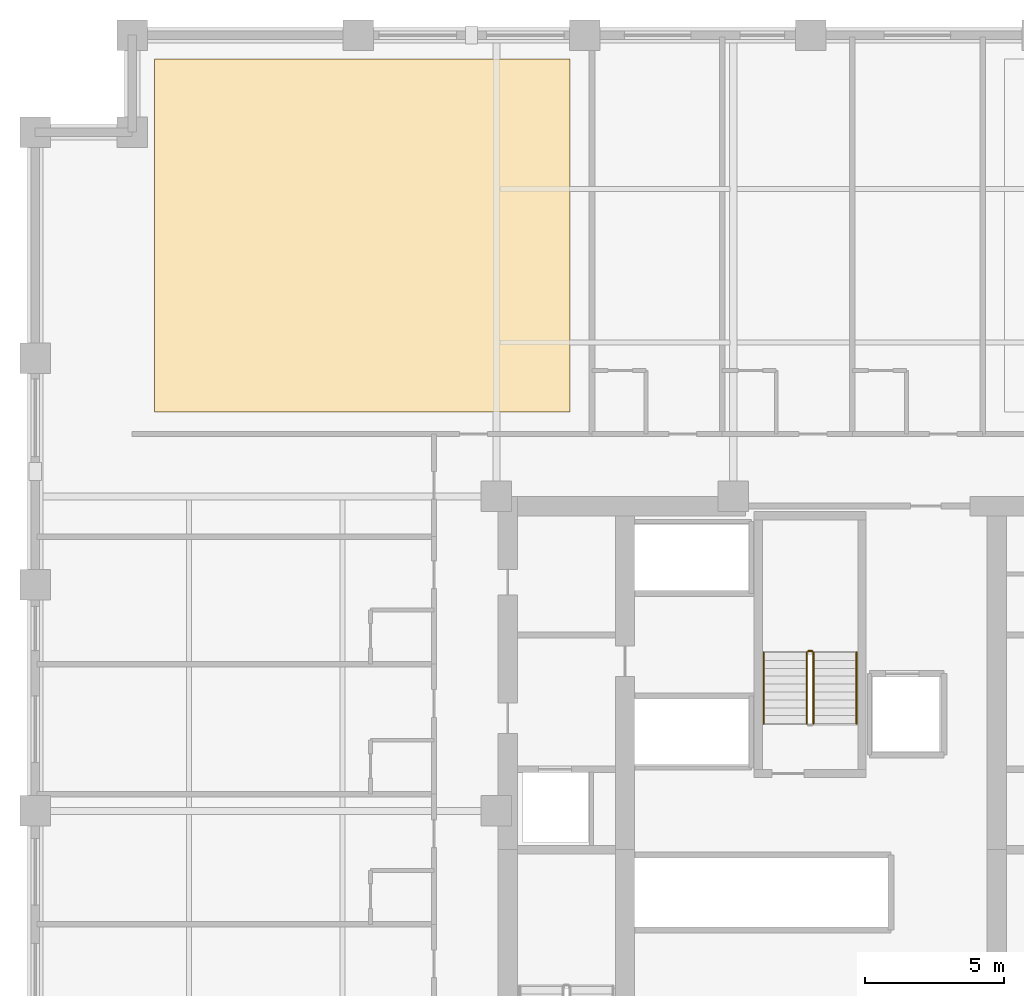
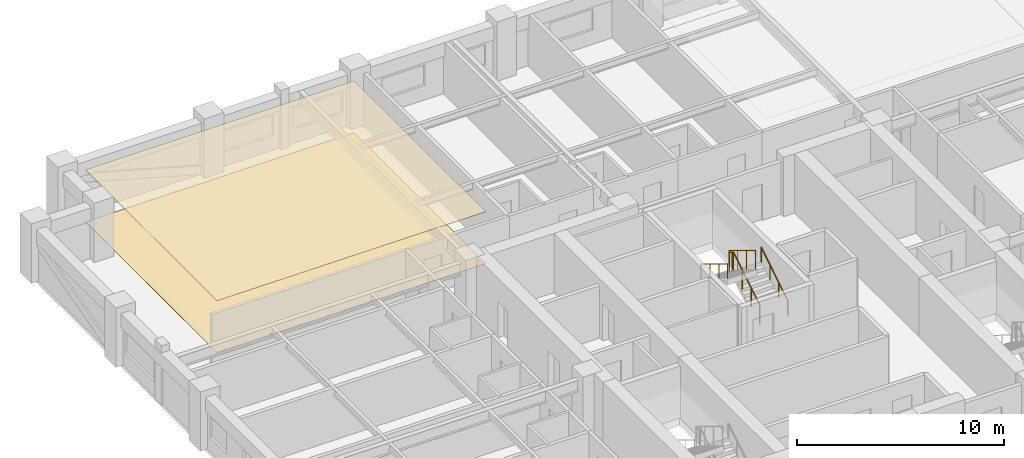
# One storey, part 11 of 12: 5 railings, 2 coverings.
"""IFC4 building model written with IfcOpenShell, lengths in metres."""

from ifc_helpers import new_model, si_unit, direction, frame, origin, origin_2d, place, context, subcontext, project, spatial, polyline, circle, outline, extrude, material, layer, layer_set, type_object, element, save


model = new_model("IFC4")

# Units and contexts
model_context = context("Model", 3, precision=1e-05, world=origin(), true_north=direction((0.0, 1.0)))
body_context = subcontext(model_context, "Body", "Model", "MODEL_VIEW")
ifc_project = project(units=[si_unit("LENGTHUNIT", "METRE"), si_unit("AREAUNIT", "SQUARE_METRE"), si_unit("VOLUMEUNIT", "CUBIC_METRE"), si_unit("PLANEANGLEUNIT", "RADIAN"), si_unit("MASSUNIT", "GRAM", prefix="KILO")], contexts=[model_context])

# Site, building, storey
site_placement = place(None, origin())
site = spatial("IfcSite", under=ifc_project, at=site_placement, CompositionType="ELEMENT")
building_placement = place(site_placement, origin())
building = spatial("IfcBuilding", under=site, at=building_placement, Name="Nhamokura Convention Tower", CompositionType="ELEMENT")
storey_placement = place(building_placement, frame((0.0, 0.0, 38.85009765625)))
storey = spatial("IfcBuildingStorey", under=building, at=storey_placement, Name="L07", CompositionType="ELEMENT", Elevation=38.85009765625)

# Covering
ifc_material_1 = material(Name="Mineral-fibre acoustic ceiling tile", Category="gypsum")
ifc_layer_1 = layer(ifc_material_1, 0.02490234375)
ifc_layer_set_1 = layer_set([ifc_layer_1], Name="AcousticTileCeiling_25")
covering_type_1 = type_object("IfcCoveringType", Name="AcousticTileCeiling_25", PredefinedType="CEILING", material=ifc_layer_set_1)
covering_1_placement = place(storey_placement, frame((0.0, 0.0, 3.054931640625)))
element("IfcCovering", 1, at=covering_1_placement, inside=storey, type_object=covering_type_1, Name="L07 Suspended Ceiling 03", PredefinedType="CEILING", context=body_context, shape_type="SweptSolid", body=[
    extrude(outline(polyline([(8.300048828125, 46.39990234375), (23.300048828125, 46.39990234375), (23.300048828125, 59.139892578125), (8.300048828125, 59.139892578125), (8.300048828125, 46.39990234375)])), origin(), (0.0, 0.0, 1.0), 0.02490234375),
])

# Railings
ifc_material_2 = material(Name="Anodised bronze stainless steel", Category="steel")
railing_type_1 = type_object("IfcRailingType", Name="StairWallHandrail_900", PredefinedType="HANDRAIL", material=ifc_material_2)
railing_1_placement = place(storey_placement, frame((33.64990234375, 35.14990234375, 0.1748046875)))
element("IfcRailing", 2, at=railing_1_placement, inside=storey, type_object=railing_type_1, Name="L07 ST-03 stair handrail 1", PredefinedType="HANDRAIL", context=body_context, shape_type="SweptSolid", body=[
    extrude(circle(Radius=0.02392578125, at=origin_2d()), frame((0.0, 0.0, 0.8759765625), z_axis=(0.0, 0.852159170481, 0.523282665646), x_axis=(-1.0, 0.0, 0.0)), (0.0, 0.0, 1.0), 3.01025390625),
    extrude(circle(Radius=0.02099609375, at=origin_2d()), origin(), (0.0, 0.0, 1.0), 0.851806640625),
    extrude(circle(Radius=0.02099609375, at=origin_2d()), frame((0.0, 0.85498046875, 0.525146484375)), (0.0, 0.0, 1.0), 0.851806640625),
    extrude(circle(Radius=0.02099609375, at=origin_2d()), frame((0.0, 1.710205078125, 1.050048828125)), (0.0, 0.0, 1.0), 0.851806640625),
    extrude(circle(Radius=0.02099609375, at=origin_2d()), frame((0.0, 2.565185546875, 1.5751953125)), (0.0, 0.0, 1.0), 0.851806640625),
])
railing_2_placement = place(storey_placement, frame((30.300048828125, 37.715087890625, 1.9248046875)))
element("IfcRailing", 3, at=railing_2_placement, inside=storey, type_object=railing_type_1, Name="L07 ST-03 stair handrail 2", PredefinedType="HANDRAIL", context=body_context, shape_type="SweptSolid", body=[
    extrude(circle(Radius=0.02392578125, at=origin_2d()), frame((0.0, 0.0, 0.8759765625), z_axis=(0.0, -0.852159170481, 0.523282665646), x_axis=(1.0, 0.0, 0.0)), (0.0, 0.0, 1.0), 3.01025390625),
    extrude(circle(Radius=0.02099609375, at=origin_2d()), origin(), (0.0, 0.0, 1.0), 0.851806640625),
    extrude(circle(Radius=0.02099609375, at=origin_2d()), frame((0.0, -0.85498046875, 0.525146484375)), (0.0, 0.0, 1.0), 0.851806640625),
    extrude(circle(Radius=0.02099609375, at=origin_2d()), frame((0.0, -1.710205078125, 1.050048828125)), (0.0, 0.0, 1.0), 0.851806640625),
    extrude(circle(Radius=0.02099609375, at=origin_2d()), frame((0.0, -2.565185546875, 1.5751953125)), (0.0, 0.0, 1.0), 0.851806640625),
])
ifc_material_3 = material(Name="Painted tubular steel", Category="steel")
railing_type_2 = type_object("IfcRailingType", Name="StairWellGuardrail_1150", PredefinedType="GUARDRAIL", material=ifc_material_3)
railing_3_placement = place(storey_placement, frame((32.10009765625, 35.14990234375, 0.1748046875)))
element("IfcRailing", 4, at=railing_3_placement, inside=storey, type_object=railing_type_2, Name="L07 ST-03 stair guard 1", PredefinedType="GUARDRAIL", context=body_context, shape_type="SweptSolid", body=[
    extrude(circle(Radius=0.02392578125, at=origin_2d()), frame((0.0, 0.0, 1.1259765625), z_axis=(0.0, 0.852159170481, 0.523282665646), x_axis=(-1.0, 0.0, 0.0)), (0.0, 0.0, 1.0), 3.01025390625),
    extrude(circle(Radius=0.02099609375, at=origin_2d()), origin(), (0.0, 0.0, 1.0), 1.101806640625),
    extrude(circle(Radius=0.02099609375, at=origin_2d()), frame((0.0, 0.85498046875, 0.525146484375)), (0.0, 0.0, 1.0), 1.101806640625),
    extrude(circle(Radius=0.02099609375, at=origin_2d()), frame((0.0, 1.710205078125, 1.050048828125)), (0.0, 0.0, 1.0), 1.101806640625),
    extrude(circle(Radius=0.02099609375, at=origin_2d()), frame((0.0, 2.565185546875, 1.5751953125)), (0.0, 0.0, 1.0), 1.101806640625),
])
railing_4_placement = place(storey_placement, frame((32.050048828125, 37.764892578125, 1.75)))
element("IfcRailing", 5, at=railing_4_placement, inside=storey, type_object=railing_type_2, Name="L07 ST-03 stair guard 2", PredefinedType="GUARDRAIL", context=body_context, shape_type="SweptSolid", body=[
    extrude(circle(Radius=0.02392578125, at=origin_2d()), frame((0.0, 0.0, 1.1259765625), z_axis=(-1.0, 0.0, 0.0), x_axis=(0.0, -1.0, 0.0)), (0.0, 0.0, 1.0), 0.150146484375),
    extrude(circle(Radius=0.02099609375, at=origin_2d()), origin(), (0.0, 0.0, 1.0), 1.101806640625),
    extrude(circle(Radius=0.02099609375, at=origin_2d()), frame((-0.150146484375, 0.0, 0.0)), (0.0, 0.0, 1.0), 1.101806640625),
])
railing_5_placement = place(storey_placement, frame((31.85009765625, 37.715087890625, 1.9248046875)))
element("IfcRailing", 6, at=railing_5_placement, inside=storey, type_object=railing_type_2, Name="L07 ST-03 stair guard 3", PredefinedType="GUARDRAIL", context=body_context, shape_type="SweptSolid", body=[
    extrude(circle(Radius=0.02392578125, at=origin_2d()), frame((0.0, 0.0, 1.1259765625), z_axis=(0.0, -0.852159170481, 0.523282665646), x_axis=(1.0, 0.0, 0.0)), (0.0, 0.0, 1.0), 3.01025390625),
    extrude(circle(Radius=0.02099609375, at=origin_2d()), origin(), (0.0, 0.0, 1.0), 1.101806640625),
    extrude(circle(Radius=0.02099609375, at=origin_2d()), frame((0.0, -0.85498046875, 0.525146484375)), (0.0, 0.0, 1.0), 1.101806640625),
    extrude(circle(Radius=0.02099609375, at=origin_2d()), frame((0.0, -1.710205078125, 1.050048828125)), (0.0, 0.0, 1.0), 1.101806640625),
    extrude(circle(Radius=0.02099609375, at=origin_2d()), frame((0.0, -2.565185546875, 1.5751953125)), (0.0, 0.0, 1.0), 1.101806640625),
])

# Covering
ifc_material_4 = material(Name="Acoustic woven hospitality carpet", Category="wood")
ifc_layer_2 = layer(ifc_material_4, 0.014892578125)
ifc_layer_set_2 = layer_set([ifc_layer_2], Name="WovenCarpetFlooring_15")
covering_type_2 = type_object("IfcCoveringType", Name="WovenCarpetFlooring_15", PredefinedType="FLOORING", material=ifc_layer_set_2)
covering_2_placement = place(storey_placement, origin())
element("IfcCovering", 7, at=covering_2_placement, inside=storey, type_object=covering_type_2, Name="L07 Finish Flooring 03", PredefinedType="FLOORING", context=body_context, shape_type="SweptSolid", body=[
    extrude(outline(polyline([(8.300048828125, 46.39990234375), (23.300048828125, 46.39990234375), (23.300048828125, 59.139892578125), (8.300048828125, 59.139892578125), (8.300048828125, 46.39990234375)])), origin(), (0.0, 0.0, 1.0), 0.014892578125),
])

save(model, "model.ifc")
